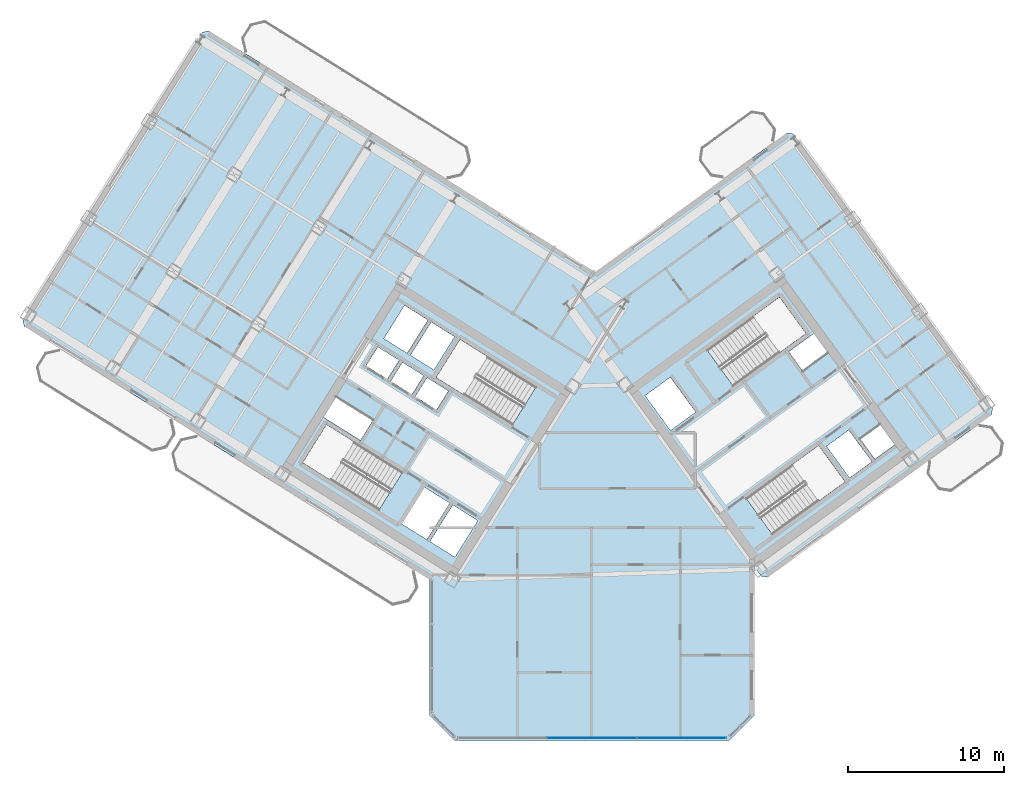
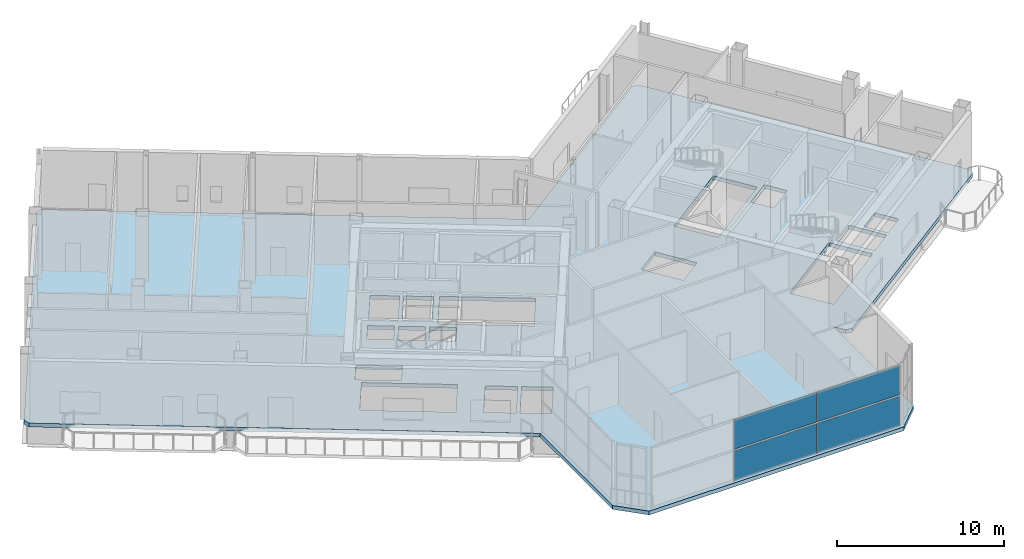
# One storey, part 10 of 21: 4 plates, 1 slab, 1 element without a shape of its own.
"""IFC4 building model written with IfcOpenShell, lengths in metres."""

from ifc_helpers import new_model, si_unit, direction, frame, origin, origin_2d, place, context, subcontext, project, spatial, polyline, rectangle, outline, extrude, source, transform, mapped, material, layer, layer_set, type_object, element, aggregate, save


model = new_model("IFC4")

# Units and contexts
model_context = context("Model", 3, precision=1e-05, world=origin(), true_north=direction((0.0, 1.0)))
body_context = subcontext(model_context, "Body", "Model", "MODEL_VIEW")
ifc_project = project(units=[si_unit("LENGTHUNIT", "METRE"), si_unit("AREAUNIT", "SQUARE_METRE"), si_unit("VOLUMEUNIT", "CUBIC_METRE"), si_unit("PLANEANGLEUNIT", "RADIAN"), si_unit("MASSUNIT", "GRAM", prefix="KILO")], contexts=[model_context])

# Site, building, storey
site_placement = place(None, origin())
site = spatial("IfcSite", under=ifc_project, at=site_placement, CompositionType="ELEMENT")
building_placement = place(site_placement, origin())
building = spatial("IfcBuilding", under=site, at=building_placement, Name="Tlacorven Tower", CompositionType="ELEMENT")
storey_placement = place(building_placement, frame((0.0, 0.0, 179.39990234375)))
storey = spatial("IfcBuildingStorey", under=building, at=storey_placement, Name="L45", CompositionType="ELEMENT", Elevation=179.39990234375)

# Slab
ifc_material_1 = material(Name="Concrete C50/60", Category="concrete")
ifc_layer_1 = layer(ifc_material_1, 0.280029296875)
ifc_layer_set_1 = layer_set([ifc_layer_1], Name="Concrete C50/60")
slab_type = type_object("IfcSlabType", Name="SL-WND-280", PredefinedType="FLOOR", material=ifc_layer_set_1)
slab_placement = place(storey_placement, frame((0.0, 0.0, -0.27978515625)))
element("IfcSlab", 1, at=slab_placement, inside=storey, type_object=slab_type, Name="L45 Boomerang Tower Floor Slab", PredefinedType="FLOOR", context=body_context, shape_type="SweptSolid", body=[
    extrude(outline(polyline([(52.39990234375, 3.39990234375), (50.800048828125, 1.800048828125), (33.199951171875, 1.800048828125), (31.60009765625, 3.39990234375), (31.60009765625, 12.09423828125), (5.62451171875, 28.32568359375), (5.529052734375, 28.739013671875), (17.0390625, 47.15869140625), (17.452392578125, 47.254150390625), (42.19970703125, 31.790283203125), (54.481689453125, 40.713623046875), (54.90087890625, 40.647216796875), (67.66748046875, 23.075439453125), (67.60107421875, 22.656494140625), (53.265380859375, 12.24072265625), (52.846435546875, 12.30712890625), (52.39990234375, 12.921630859375), (52.39990234375, 3.39990234375)]), holes=[polyline([(29.865478515625, 18.979736328125), (24.9892578125, 22.02685546875), (23.463134765625, 19.58447265625), (28.33935546875, 16.537353515625), (29.865478515625, 18.979736328125)]), polyline([(38.4169921875, 24.4375), (33.540771484375, 27.484375), (32.0146484375, 25.0419921875), (36.890869140625, 21.9951171875), (38.4169921875, 24.4375)]), polyline([(51.05908203125, 24.481689453125), (55.7109375, 27.861572265625), (54.01806640625, 30.19140625), (49.3662109375, 26.811767578125), (51.05908203125, 24.481689453125)]), polyline([(53.56298828125, 14.978759765625), (58.21484375, 18.3583984375), (56.52197265625, 20.6884765625), (51.8701171875, 17.30859375), (53.56298828125, 14.978759765625)]), polyline([(34.682373046875, 15.87548828125), (33.088134765625, 16.871826171875), (31.62548828125, 14.531005859375), (33.2197265625, 13.534912109375), (34.682373046875, 15.87548828125)]), polyline([(32.884521484375, 16.9990234375), (31.2392578125, 18.02685546875), (29.77685546875, 15.686279296875), (31.421875, 14.658203125), (32.884521484375, 16.9990234375)]), polyline([(47.0234375, 21.648681640625), (48.6416015625, 22.82421875), (47.019287109375, 25.05712890625), (45.401123046875, 23.881591796875), (47.0234375, 21.648681640625)]), polyline([(33.197265625, 27.65185546875), (31.704833984375, 28.58447265625), (30.3798828125, 26.46435546875), (31.87255859375, 25.53173828125), (33.197265625, 27.65185546875)]), polyline([(31.484375, 28.722412109375), (29.99169921875, 29.655029296875), (28.6669921875, 27.534912109375), (30.159423828125, 26.602294921875), (31.484375, 28.722412109375)]), polyline([(32.794921875, 24.17724609375), (31.43798828125, 25.025146484375), (30.685546875, 23.82080078125), (32.042236328125, 22.972900390625), (32.794921875, 24.17724609375)]), polyline([(31.217529296875, 25.162841796875), (29.860595703125, 26.0107421875), (29.108154296875, 24.806396484375), (30.465087890625, 23.958740234375), (31.217529296875, 25.162841796875)]), polyline([(29.64013671875, 26.1484375), (28.283203125, 26.996337890625), (27.53076171875, 25.792236328125), (28.8876953125, 24.9443359375), (29.64013671875, 26.1484375)]), polyline([(58.498779296875, 18.614013671875), (59.922607421875, 19.648681640625), (58.453125, 21.671142578125), (57.029296875, 20.63671875), (58.498779296875, 18.614013671875)]), polyline([(27.96142578125, 22.2919921875), (25.603759765625, 23.76513671875), (24.80908203125, 22.4931640625), (27.16650390625, 21.02001953125), (27.96142578125, 22.2919921875)]), polyline([(55.490478515625, 25.4765625), (57.092529296875, 26.640380859375), (56.210693359375, 27.85400390625), (54.60888671875, 26.690185546875), (55.490478515625, 25.4765625)]), polyline([(60.12109375, 19.817626953125), (61.38330078125, 20.734619140625), (60.45458984375, 22.012939453125), (59.192626953125, 21.095947265625), (60.12109375, 19.817626953125)])]), origin(), (0.0, 0.0, 1.0), 0.27978515625),
])

# Curtain wall, plates
ifc_material_2 = material(Name="Dark solar low-E double glazing in aluminium frame", Category="aluminium")
curtain_wall_type = type_object("IfcCurtainWallType", Name="CW-TWR-MID", PredefinedType="USERDEFINED", material=ifc_material_2)
curtain_wall_placement = place(storey_placement, origin())
curtain_wall = element("IfcCurtainWall", 2, at=curtain_wall_placement, inside=storey, type_object=curtain_wall_type, Name="L45 CW-TWR-MID Curtain Wall 209", ObjectType="UNITISED CURTAIN WALL", PredefinedType="USERDEFINED")
ifc_material_3 = material(Name="High-wind dark solar tempered low-E glazing", Category="glass")
ifc_layer_2 = layer(ifc_material_3, 0.028076171875)
ifc_layer_set_2 = layer_set([ifc_layer_2], Name="High-wind dark solar tempered low-E glazing")
plate_type = type_object("IfcPlateType", Name="CWP-03", PredefinedType="CURTAIN_PANEL", material=ifc_layer_set_2)
shared_shape_1 = source(origin(), body_context, "Body", "SweptSolid", [
    extrude(rectangle(XDim=5.67626953125, YDim=0.028076171875, at=origin_2d()), origin(), (0.0, 0.0, 1.0), 2.153076171875),
])
plate_1_placement = place(storey_placement, frame((47.739501953125, 1.9599609375, 0.06103515625), z_axis=(0.0, 0.0, 1.0), x_axis=(-1.0, 0.0, 0.0)))
plate_1 = element("IfcPlate", 3, at=plate_1_placement, type_object=plate_type, Name="CW-L45-209 Glazing Panel 1", PredefinedType="CURTAIN_PANEL", context=body_context, shape_type="MappedRepresentation", body=[
    mapped(shared_shape_1, transform((0.0, 0.0, 0.0), scale=1.0)),
])
plate_2_placement = place(storey_placement, frame((47.739501953125, 1.9599609375, 2.3359375), z_axis=(0.0, 0.0, 1.0), x_axis=(-1.0, 0.0, 0.0)))
plate_2 = element("IfcPlate", 4, at=plate_2_placement, type_object=plate_type, Name="CW-L45-209 Glazing Panel 2", PredefinedType="CURTAIN_PANEL", context=body_context, shape_type="MappedRepresentation", body=[
    mapped(shared_shape_1, transform((0.0, 0.0, 0.0), scale=1.0)),
])
shared_shape_2 = source(origin(), body_context, "Body", "SweptSolid", [
    extrude(rectangle(XDim=5.708740234375, YDim=0.028076171875, at=origin_2d()), origin(), (0.0, 0.0, 1.0), 2.153076171875),
])
plate_3_placement = place(storey_placement, frame((42.0, 1.9599609375, 0.06103515625), z_axis=(0.0, 0.0, 1.0), x_axis=(-1.0, 0.0, 0.0)))
plate_3 = element("IfcPlate", 5, at=plate_3_placement, type_object=plate_type, Name="CW-L45-209 Glazing Panel 3", PredefinedType="CURTAIN_PANEL", context=body_context, shape_type="MappedRepresentation", body=[
    mapped(shared_shape_2, transform((0.0, 0.0, 0.0), scale=1.0)),
])
plate_4_placement = place(storey_placement, frame((42.0, 1.9599609375, 2.3359375), z_axis=(0.0, 0.0, 1.0), x_axis=(-1.0, 0.0, 0.0)))
plate_4 = element("IfcPlate", 6, at=plate_4_placement, type_object=plate_type, Name="CW-L45-209 Glazing Panel 4", PredefinedType="CURTAIN_PANEL", context=body_context, shape_type="MappedRepresentation", body=[
    mapped(shared_shape_2, transform((0.0, 0.0, 0.0), scale=1.0)),
])
aggregate(curtain_wall, [plate_1, plate_2, plate_3, plate_4])

save(model, "model.ifc")
